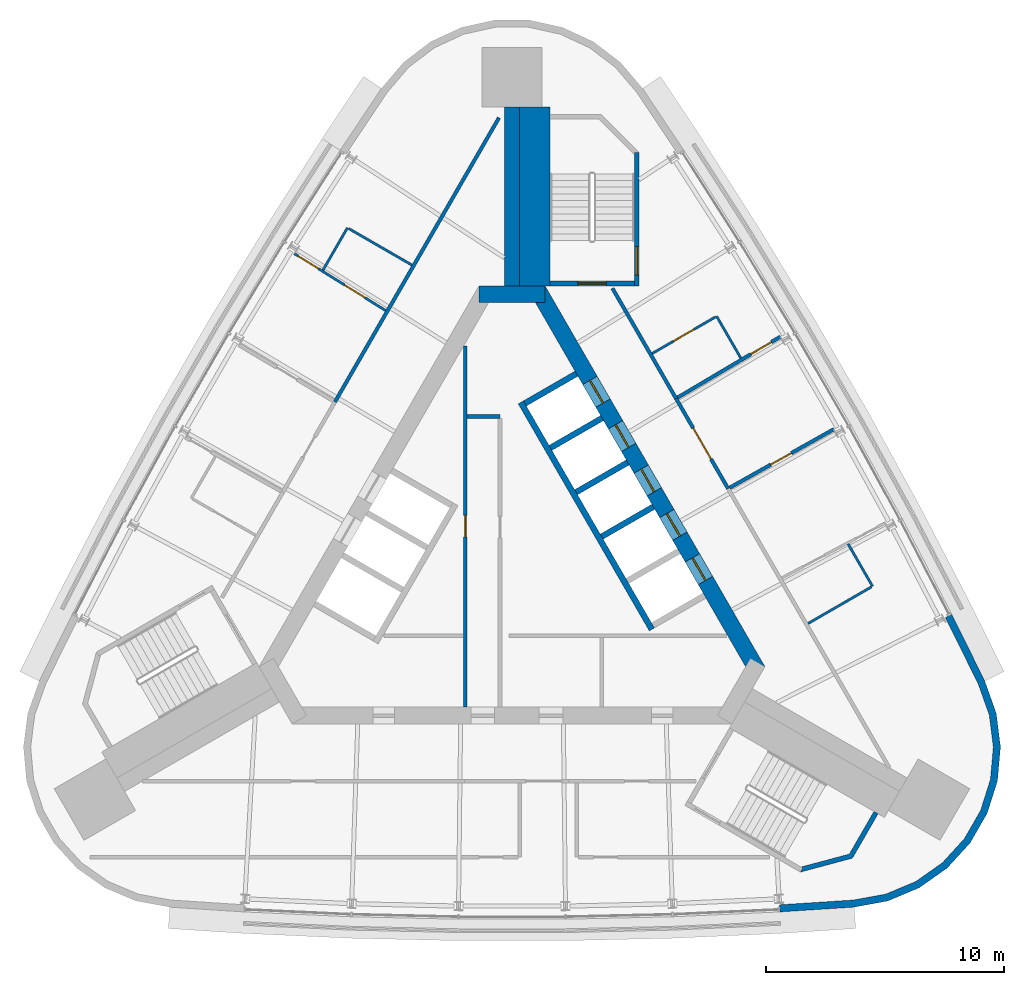
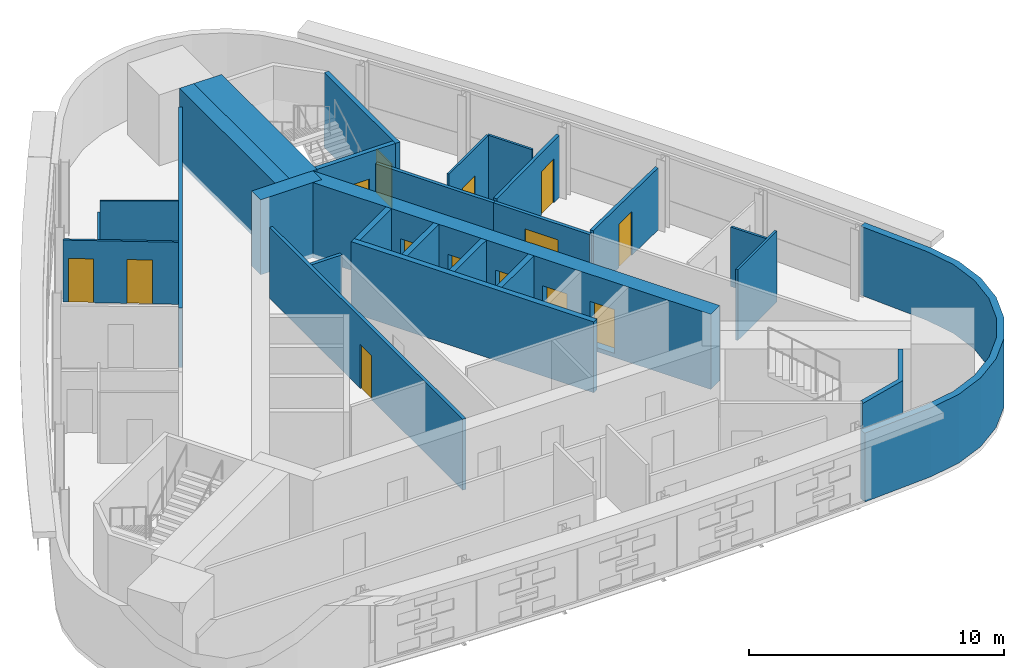
# One storey, part 7 of 9: 27 walls, 14 doors, 14 openings.
"""IFC4 building model written with IfcOpenShell, lengths in metres."""

from ifc_helpers import new_model, si_unit, direction, frame, frame_2d, origin, place, context, subcontext, project, spatial, polyline, rectangle, outline, extrude, material, layer, layer_set, type_object, element, fill, save


model = new_model("IFC4")

# Units and contexts
model_context = context("Model", 3, precision=1e-05, world=origin(), true_north=direction((0.0, 1.0)))
body_context = subcontext(model_context, "Body", "Model", "MODEL_VIEW")
ifc_project = project(units=[si_unit("LENGTHUNIT", "METRE"), si_unit("AREAUNIT", "SQUARE_METRE"), si_unit("VOLUMEUNIT", "CUBIC_METRE"), si_unit("PLANEANGLEUNIT", "RADIAN"), si_unit("MASSUNIT", "GRAM", prefix="KILO")], contexts=[model_context])

# Site, building, storey
site_placement = place(None, origin())
site = spatial("IfcSite", under=ifc_project, at=site_placement, CompositionType="ELEMENT")
building_placement = place(site_placement, origin())
building = spatial("IfcBuilding", under=site, at=building_placement, Name="Noor Cloister Tower", CompositionType="ELEMENT")
storey_placement = place(building_placement, frame((0.0, 0.0, 236.39990234375)))
storey = spatial("IfcBuildingStorey", under=building, at=storey_placement, Name="L61", CompositionType="ELEMENT", Elevation=236.39990234375)

# Wall
ifc_material_1 = material(Name="Concrete C60/75", Category="concrete")
ifc_layer_1 = layer(ifc_material_1, 0.64990234375)
ifc_layer_set_1 = layer_set([ifc_layer_1], Name="Buttress wall 650 C60/75")
wall_type_1 = type_object("IfcWallType", Name="Buttress wall 650 C60/75", PredefinedType="SHEAR", material=ifc_layer_set_1)
wall_1_placement = place(storey_placement, frame((0.0, 11.456298828125, -0.199951171875), z_axis=(0.0, 0.0, 1.0), x_axis=(0.0, 1.0, 0.0)))
element("IfcWall", 1, at=wall_1_placement, inside=storey, type_object=wall_type_1, Name="Buttress wall N L61", PredefinedType="SHEAR", context=body_context, shape_type="SweptSolid", body=[
    extrude(rectangle(XDim=7.506591796875, YDim=0.64990234375, at=frame_2d((3.75341796875, 0.0))), origin(), (0.0, 0.0, 1.0), 3.60009765625),
])

# Wall, opening, door
ifc_material_2 = material(Name="Concrete C30/37", Category="concrete")
ifc_layer_2 = layer(ifc_material_2, 0.14990234375)
ifc_layer_set_2 = layer_set([ifc_layer_2], Name="Core partition 150 C30/37")
wall_type_2 = type_object("IfcWallType", Name="Core partition 150 C30/37", PredefinedType="PARTITIONING", material=ifc_layer_set_2)
wall_2_placement = place(storey_placement, frame((-1.95361328125, 8.9423828125, 0.0), z_axis=(0.0, 0.0, 1.0), x_axis=(0.0, -1.0, 0.0)))
wall_2 = element("IfcWall", 2, at=wall_2_placement, inside=storey, type_object=wall_type_2, Name="Core room partition L61 2", PredefinedType="PARTITIONING", context=body_context, shape_type="SweptSolid", body=[
    extrude(rectangle(XDim=15.170654296875, YDim=0.14990234375, at=frame_2d((7.58544921875, 0.0))), origin(), (0.0, 0.0, 1.0), 3.400146484375),
])
opening_1_placement = place(wall_2_placement, frame((7.12060546875, 0.0, 0.0)))
opening_1 = element("IfcOpeningElement", 3, at=opening_1_placement, cuts=wall_2, Name="Opening L61-905", PredefinedType="OPENING", context=body_context, shape_type="SweptSolid", body=[
    extrude(rectangle(XDim=0.89990234375, YDim=2.10009765625, at=frame_2d((0.449951171875, 1.050048828125))), frame((0.0, 0.0849609375, 0.0), z_axis=(0.0, -1.0, 0.0), x_axis=(1.0, 0.0, 0.0)), (0.0, 0.0, 1.0), 0.169921875),
])
ifc_material_3 = material(Name="Steel", Category="steel")
door_type_1 = type_object("IfcDoorType", Name="Core door 900 x 2100 FD60", OperationType="SINGLE_SWING_LEFT", PredefinedType="DOOR", material=ifc_material_3)
door_1_placement = place(opening_1_placement, origin())
door_1 = element("IfcDoor", 4, at=door_1_placement, inside=storey, type_object=door_type_1, Name="Core door 5 L61", OperationType="SINGLE_SWING_LEFT", OverallHeight=2.10009765625, OverallWidth=0.89990234375, PredefinedType="DOOR", context=body_context, shape_type="SweptSolid", body=[
    extrude(rectangle(XDim=0.89990234375, YDim=2.10009765625, at=frame_2d((0.449951171875, 1.050048828125))), frame((0.0, 0.02490234375, 0.0), z_axis=(0.0, -1.0, 0.0), x_axis=(1.0, 0.0, 0.0)), (0.0, 0.0, 1.0), 0.050048828125),
])
fill(opening_1, door_1)

# Wall
wall_3_placement = place(storey_placement, frame((-1.878662109375, 5.9716796875, 0.0), z_axis=(0.0, 0.0, 1.0), x_axis=(1.0, 0.0, 0.0)))
element("IfcWall", 5, at=wall_3_placement, inside=storey, type_object=wall_type_2, Name="Core room partition L61 3", PredefinedType="PARTITIONING", context=body_context, shape_type="SweptSolid", body=[
    extrude(rectangle(XDim=1.375, YDim=0.14990234375, at=frame_2d((0.6875, 0.0))), origin(), (0.0, 0.0, 1.0), 3.400146484375),
])

# Wall, openings, doors
ifc_material_4 = material(Name="Concrete C60/75", Category="concrete")
ifc_layer_3 = layer(ifc_material_4, 0.699951171875)
ifc_layer_set_3 = layer_set([ifc_layer_3], Name="Core wall 700 C60/75")
wall_type_3 = type_object("IfcWallType", Name="Core wall 700 C60/75", PredefinedType="SHEAR", material=ifc_layer_set_3)
wall_4_placement = place(storey_placement, frame((10.311279296875, -4.703125, -0.199951171875), z_axis=(0.0, 0.0, 1.0), x_axis=(-0.500001446645, 0.866024568562, 0.0)))
wall_4 = element("IfcWall", 6, at=wall_4_placement, inside=storey, type_object=wall_type_3, Name="Core wall L61 3", PredefinedType="SHEAR", context=body_context, shape_type="SweptSolid", body=[
    extrude(rectangle(XDim=18.45751953125, YDim=0.699951171875, at=frame_2d((9.228759765625, 0.0))), origin(), (0.0, 0.0, 1.0), 3.60009765625),
])
opening_2_placement = place(wall_4_placement, frame((4.378662109375, 0.0, 0.199951171875)))
opening_2 = element("IfcOpeningElement", 7, at=opening_2_placement, cuts=wall_4, Name="Opening L61-HR1", PredefinedType="OPENING", context=body_context, shape_type="SweptSolid", body=[
    extrude(rectangle(XDim=1.10009765625, YDim=2.10009765625, at=frame_2d((0.550048828125, 1.050048828125))), frame((0.0, 0.35986328125, 0.0), z_axis=(0.0, -1.0, 0.0), x_axis=(1.0, 0.0, 0.0)), (0.0, 0.0, 1.0), 0.719970703125),
])
opening_3_placement = place(wall_4_placement, frame((6.52880859375, 0.0, 0.199951171875)))
opening_3 = element("IfcOpeningElement", 8, at=opening_3_placement, cuts=wall_4, Name="Opening L61-HR2", PredefinedType="OPENING", context=body_context, shape_type="SweptSolid", body=[
    extrude(rectangle(XDim=1.10009765625, YDim=2.10009765625, at=frame_2d((0.550048828125, 1.050048828125))), frame((0.0, 0.35986328125, 0.0), z_axis=(0.0, -1.0, 0.0), x_axis=(1.0, 0.0, 0.0)), (0.0, 0.0, 1.0), 0.719970703125),
])
opening_4_placement = place(wall_4_placement, frame((8.6787109375, 0.0, 0.199951171875)))
opening_4 = element("IfcOpeningElement", 9, at=opening_4_placement, cuts=wall_4, Name="Opening L61-HR3", PredefinedType="OPENING", context=body_context, shape_type="SweptSolid", body=[
    extrude(rectangle(XDim=1.10009765625, YDim=2.10009765625, at=frame_2d((0.550048828125, 1.050048828125))), frame((0.0, 0.35986328125, 0.0), z_axis=(0.0, -1.0, 0.0), x_axis=(1.0, 0.0, 0.0)), (0.0, 0.0, 1.0), 0.719970703125),
])
opening_5_placement = place(wall_4_placement, frame((10.82861328125, 0.0, 0.199951171875)))
opening_5 = element("IfcOpeningElement", 10, at=opening_5_placement, cuts=wall_4, Name="Opening L61-HR4", PredefinedType="OPENING", context=body_context, shape_type="SweptSolid", body=[
    extrude(rectangle(XDim=1.10009765625, YDim=2.10009765625, at=frame_2d((0.550048828125, 1.050048828125))), frame((0.0, 0.35986328125, 0.0), z_axis=(0.0, -1.0, 0.0), x_axis=(1.0, 0.0, 0.0)), (0.0, 0.0, 1.0), 0.719970703125),
])
opening_6_placement = place(wall_4_placement, frame((12.978759765625, 0.0, 0.199951171875)))
opening_6 = element("IfcOpeningElement", 11, at=opening_6_placement, cuts=wall_4, Name="Opening L61-HR5", PredefinedType="OPENING", context=body_context, shape_type="SweptSolid", body=[
    extrude(rectangle(XDim=1.10009765625, YDim=2.10009765625, at=frame_2d((0.550048828125, 1.050048828125))), frame((0.0, 0.35986328125, 0.0), z_axis=(0.0, -1.0, 0.0), x_axis=(1.0, 0.0, 0.0)), (0.0, 0.0, 1.0), 0.719970703125),
])
ifc_material_5 = material(Name="Stainless steel", Category="steel")
door_type_2 = type_object("IfcDoorType", Name="Lift landing door 1100 x 2100", OperationType="DOUBLE_DOOR_SLIDING", PredefinedType="DOOR", material=ifc_material_5)
door_2_placement = place(opening_2_placement, origin())
door_2 = element("IfcDoor", 12, at=door_2_placement, inside=storey, type_object=door_type_2, Name="Landing door HR1 L61", OperationType="DOUBLE_DOOR_SLIDING", OverallHeight=2.10009765625, OverallWidth=1.10009765625, PredefinedType="DOOR", context=body_context, shape_type="SweptSolid", body=[
    extrude(rectangle(XDim=1.10009765625, YDim=2.10009765625, at=frame_2d((0.550048828125, 1.050048828125))), frame((0.0, 0.02490234375, 0.0), z_axis=(0.0, -1.0, 0.0), x_axis=(1.0, 0.0, 0.0)), (0.0, 0.0, 1.0), 0.050048828125),
])
fill(opening_2, door_2)
door_3_placement = place(opening_3_placement, origin())
door_3 = element("IfcDoor", 13, at=door_3_placement, inside=storey, type_object=door_type_2, Name="Landing door HR2 L61", OperationType="DOUBLE_DOOR_SLIDING", OverallHeight=2.10009765625, OverallWidth=1.10009765625, PredefinedType="DOOR", context=body_context, shape_type="SweptSolid", body=[
    extrude(rectangle(XDim=1.10009765625, YDim=2.10009765625, at=frame_2d((0.550048828125, 1.050048828125))), frame((0.0, 0.02490234375, 0.0), z_axis=(0.0, -1.0, 0.0), x_axis=(1.0, 0.0, 0.0)), (0.0, 0.0, 1.0), 0.050048828125),
])
fill(opening_3, door_3)
door_4_placement = place(opening_4_placement, origin())
door_4 = element("IfcDoor", 14, at=door_4_placement, inside=storey, type_object=door_type_2, Name="Landing door HR3 L61", OperationType="DOUBLE_DOOR_SLIDING", OverallHeight=2.10009765625, OverallWidth=1.10009765625, PredefinedType="DOOR", context=body_context, shape_type="SweptSolid", body=[
    extrude(rectangle(XDim=1.10009765625, YDim=2.10009765625, at=frame_2d((0.550048828125, 1.050048828125))), frame((0.0, 0.02490234375, 0.0), z_axis=(0.0, -1.0, 0.0), x_axis=(1.0, 0.0, 0.0)), (0.0, 0.0, 1.0), 0.050048828125),
])
fill(opening_4, door_4)
door_5_placement = place(opening_5_placement, origin())
door_5 = element("IfcDoor", 15, at=door_5_placement, inside=storey, type_object=door_type_2, Name="Landing door HR4 L61", OperationType="DOUBLE_DOOR_SLIDING", OverallHeight=2.10009765625, OverallWidth=1.10009765625, PredefinedType="DOOR", context=body_context, shape_type="SweptSolid", body=[
    extrude(rectangle(XDim=1.10009765625, YDim=2.10009765625, at=frame_2d((0.550048828125, 1.050048828125))), frame((0.0, 0.02490234375, 0.0), z_axis=(0.0, -1.0, 0.0), x_axis=(1.0, 0.0, 0.0)), (0.0, 0.0, 1.0), 0.050048828125),
])
fill(opening_5, door_5)
door_6_placement = place(opening_6_placement, origin())
door_6 = element("IfcDoor", 16, at=door_6_placement, inside=storey, type_object=door_type_2, Name="Landing door HR5 L61", OperationType="DOUBLE_DOOR_SLIDING", OverallHeight=2.10009765625, OverallWidth=1.10009765625, PredefinedType="DOOR", context=body_context, shape_type="SweptSolid", body=[
    extrude(rectangle(XDim=1.10009765625, YDim=2.10009765625, at=frame_2d((0.550048828125, 1.050048828125))), frame((0.0, 0.02490234375, 0.0), z_axis=(0.0, -1.0, 0.0), x_axis=(1.0, 0.0, 0.0)), (0.0, 0.0, 1.0), 0.050048828125),
])
fill(opening_6, door_6)

# Walls
wall_5_placement = place(storey_placement, frame((1.3857421875, 11.1064453125, -0.199951171875), z_axis=(0.0, 0.0, 1.0), x_axis=(-1.0, 0.0, 0.0)))
element("IfcWall", 17, at=wall_5_placement, inside=storey, type_object=wall_type_3, Name="Core wall L61 4", PredefinedType="SHEAR", context=body_context, shape_type="SweptSolid", body=[
    extrude(rectangle(XDim=2.771484375, YDim=0.699951171875, at=frame_2d((1.3857421875, 0.0))), origin(), (0.0, 0.0, 1.0), 3.60009765625),
])
ifc_material_6 = material(Name="Fire-rated gypsum board partition on steel studs, 150 mm", Category="steel")
ifc_layer_4 = layer(ifc_material_6, 0.14990234375)
ifc_layer_set_4 = layer_set([ifc_layer_4], Name="Fire lobby wall 150")
wall_type_4 = type_object("IfcWallType", Name="Fire lobby wall 150", PredefinedType="PARTITIONING", material=ifc_layer_set_4)
wall_6_placement = place(storey_placement, frame((-0.544677734375, 18.512939453125, 0.0), z_axis=(0.0, 0.0, 1.0), x_axis=(-0.499998165157, -0.866026463129, 0.0)))
element("IfcWall", 18, at=wall_6_placement, inside=storey, type_object=wall_type_4, Name="Wall L61-W18", PredefinedType="PARTITIONING", context=body_context, shape_type="SweptSolid", body=[
    extrude(rectangle(XDim=13.771484375, YDim=0.14990234375, at=frame_2d((6.8857421875, 0.0))), origin(), (0.0, 0.0, 1.0), 2.85205078125),
])
ifc_material_7 = material(Name="Gypsum board partition on steel studs, 150 mm", Category="steel")
ifc_layer_5 = layer(ifc_material_7, 0.14990234375)
ifc_layer_set_5 = layer_set([ifc_layer_5], Name="Flat wall 150")
wall_type_5 = type_object("IfcWallType", Name="Flat wall 150", PredefinedType="PARTITIONING", material=ifc_layer_set_5)
wall_7_placement = place(storey_placement, frame((6.88623046875, 6.72900390625, 0.0), z_axis=(0.0, 0.0, 1.0), x_axis=(-0.4999966759, 0.866027322946, 0.0)))
element("IfcWall", 19, at=wall_7_placement, inside=storey, type_object=wall_type_5, Name="Wall L61-W02", PredefinedType="PARTITIONING", context=body_context, shape_type="SweptSolid", body=[
    extrude(rectangle(XDim=5.34326171875, YDim=0.14990234375, at=frame_2d((2.671630859375, 0.0))), origin(), (0.0, 0.0, 1.0), 2.85205078125),
])

# Wall, opening, door
wall_8_placement = place(storey_placement, frame((13.51416015625, 5.4443359375, 0.0), z_axis=(0.0, 0.0, 1.0), x_axis=(-0.871644326388, -0.490138927525, 0.0)))
wall_8 = element("IfcWall", 20, at=wall_8_placement, inside=storey, type_object=wall_type_5, Name="Wall L61-W03", PredefinedType="PARTITIONING", context=body_context, shape_type="SweptSolid", body=[
    extrude(rectangle(XDim=5.02294921875, YDim=0.14990234375, at=frame_2d((2.511474609375, 0.0))), origin(), (0.0, 0.0, 1.0), 2.97412109375),
])
opening_7_placement = place(wall_8_placement, frame((2.048828125, 0.0, 0.0)))
opening_7 = element("IfcOpeningElement", 21, at=opening_7_placement, cuts=wall_8, Name="Opening L61-004", PredefinedType="OPENING", context=body_context, shape_type="SweptSolid", body=[
    extrude(rectangle(XDim=1.0, YDim=2.10009765625, at=frame_2d((0.5, 1.050048828125))), frame((0.0, 0.0849609375, 0.0), z_axis=(0.0, -1.0, 0.0), x_axis=(1.0, 0.0, 0.0)), (0.0, 0.0, 1.0), 0.169921875),
])
ifc_material_8 = material(Name="Timber door leaf with steel frame", Category="steel")
door_type_3 = type_object("IfcDoorType", Name="Flat entrance door 1000", OperationType="NOTDEFINED", PredefinedType="DOOR", material=ifc_material_8)
door_7_placement = place(opening_7_placement, origin())
door_7 = element("IfcDoor", 22, at=door_7_placement, inside=storey, type_object=door_type_3, Name="Door L61-004", OperationType="SINGLE_SWING_RIGHT", OverallHeight=2.10009765625, OverallWidth=1.0, PredefinedType="DOOR", context=body_context, shape_type="SweptSolid", body=[
    extrude(rectangle(XDim=1.0, YDim=2.10009765625, at=frame_2d((0.5, 1.050048828125))), frame((0.0, 0.02490234375, 0.0), z_axis=(0.0, -1.0, 0.0), x_axis=(1.0, 0.0, 0.0)), (0.0, 0.0, 1.0), 0.050048828125),
])
fill(opening_7, door_7)

wall_9_placement = place(storey_placement, frame((11.26806640625, 9.325439453125, 0.0), z_axis=(0.0, 0.0, 1.0), x_axis=(-0.860287582295, -0.509809058128, 0.0)))
wall_9 = element("IfcWall", 23, at=wall_9_placement, inside=storey, type_object=wall_type_5, Name="Wall L61-W04", PredefinedType="PARTITIONING", context=body_context, shape_type="SweptSolid", body=[
    extrude(rectangle(XDim=5.018310546875, YDim=0.14990234375, at=frame_2d((2.50927734375, 0.0))), origin(), (0.0, 0.0, 1.0), 2.97412109375),
])
opening_8_placement = place(wall_9_placement, frame((0.446533203125, 0.0, 0.0)))
opening_8 = element("IfcOpeningElement", 24, at=opening_8_placement, cuts=wall_9, Name="Opening L61-006", PredefinedType="OPENING", context=body_context, shape_type="SweptSolid", body=[
    extrude(rectangle(XDim=1.0, YDim=2.10009765625, at=frame_2d((0.5, 1.050048828125))), frame((0.0, 0.0849609375, 0.0), z_axis=(0.0, -1.0, 0.0), x_axis=(1.0, 0.0, 0.0)), (0.0, 0.0, 1.0), 0.169921875),
])
door_8_placement = place(opening_8_placement, origin())
door_8 = element("IfcDoor", 25, at=door_8_placement, inside=storey, type_object=door_type_3, Name="Door L61-006", OperationType="SINGLE_SWING_RIGHT", OverallHeight=2.10009765625, OverallWidth=1.0, PredefinedType="DOOR", context=body_context, shape_type="SweptSolid", body=[
    extrude(rectangle(XDim=1.0, YDim=2.10009765625, at=frame_2d((0.5, 1.050048828125))), frame((0.0, 0.02490234375, 0.0), z_axis=(0.0, -1.0, 0.0), x_axis=(1.0, 0.0, 0.0)), (0.0, 0.0, 1.0), 0.050048828125),
])
fill(opening_8, door_8)

wall_10_placement = place(storey_placement, frame((9.070556640625, 2.945556640625, 0.0), z_axis=(0.0, 0.0, 1.0), x_axis=(-0.499991738058, 0.866030173766, 0.0)))
wall_10 = element("IfcWall", 26, at=wall_10_placement, inside=storey, type_object=wall_type_5, Name="Wall L61-W05", PredefinedType="PARTITIONING", context=body_context, shape_type="SweptSolid", body=[
    extrude(rectangle(XDim=4.36865234375, YDim=0.14990234375, at=frame_2d((2.184326171875, 0.0))), origin(), (0.0, 0.0, 1.0), 2.85205078125),
])
opening_9_placement = place(wall_10_placement, frame((1.434326171875, 0.0, 0.0)))
opening_9 = element("IfcOpeningElement", 27, at=opening_9_placement, cuts=wall_10, Name="Opening L61-001", PredefinedType="OPENING", context=body_context, shape_type="SweptSolid", body=[
    extrude(rectangle(XDim=1.5, YDim=2.10009765625, at=frame_2d((0.75, 1.050048828125))), frame((0.0, 0.0849609375, 0.0), z_axis=(0.0, -1.0, 0.0), x_axis=(1.0, 0.0, 0.0)), (0.0, 0.0, 1.0), 0.169921875),
])
ifc_material_9 = material(Name="Timber door leaf with steel frame", Category="steel")
door_type_4 = type_object("IfcDoorType", Name="Double door 1500 FD60", OperationType="NOTDEFINED", PredefinedType="DOOR", material=ifc_material_9)
door_9_placement = place(opening_9_placement, origin())
door_9 = element("IfcDoor", 28, at=door_9_placement, inside=storey, type_object=door_type_4, Name="Door L61-001", OperationType="DOUBLE_DOOR_SINGLE_SWING", OverallHeight=2.10009765625, OverallWidth=1.5, PredefinedType="DOOR", context=body_context, shape_type="SweptSolid", body=[
    extrude(rectangle(XDim=1.5, YDim=2.10009765625, at=frame_2d((0.75, 1.050048828125))), frame((0.0, 0.02490234375, 0.0), z_axis=(0.0, -1.0, 0.0), x_axis=(1.0, 0.0, 0.0)), (0.0, 0.0, 1.0), 0.050048828125),
])
fill(opening_9, door_9)

# Walls
ifc_material_10 = material(Name="Limestone", Category="masonry")
ifc_layer_6 = layer(ifc_material_10, 0.300048828125)
ifc_layer_set_6 = layer_set([ifc_layer_6], Name="Limestone cladding 300")
wall_type_6 = type_object("IfcWallType", Name="Limestone cladding 300", PredefinedType="NOTDEFINED", material=ifc_layer_set_6)
wall_11_placement = place(storey_placement, origin())
element("IfcWall", 29, at=wall_11_placement, inside=storey, type_object=wall_type_6, Name="Limestone pier cladding L61 2.1", PredefinedType="NOTDEFINED", context=body_context, shape_type="SweptSolid", body=[
    extrude(outline(polyline([(11.243896484375, -14.820068359375), (14.3642578125, -14.61865234375), (15.77197265625, -14.361328125), (17.091552734375, -13.8076171875), (18.26123046875, -12.983154296875), (19.2265625, -11.9267578125), (19.942138671875, -10.687255859375), (20.37451171875, -9.3232421875), (20.503662109375, -7.89794921875), (20.3232421875, -6.478271484375), (19.842041015625, -5.13037109375), (18.45654296875, -2.32763671875), (18.1875, -2.46044921875), (19.5654296875, -5.247802734375), (20.02978515625, -6.54833984375), (20.201904296875, -7.9033203125), (20.07861328125, -9.263671875), (19.666015625, -10.565673828125), (18.98291015625, -11.748291015625), (18.061767578125, -12.7568359375), (16.9453125, -13.543701171875), (15.68603515625, -14.072021484375), (14.327392578125, -14.3203125), (11.224609375, -14.520751953125), (11.243896484375, -14.820068359375)])), origin(), (0.0, 0.0, 1.0), 3.300048828125),
])
ifc_material_11 = material(Name="Gypsum board partition on steel studs, 100 mm", Category="steel")
ifc_layer_7 = layer(ifc_material_11, 0.10009765625)
ifc_layer_set_7 = layer_set([ifc_layer_7], Name="Partition 100")
wall_type_7 = type_object("IfcWallType", Name="Partition 100", PredefinedType="PARTITIONING", material=ifc_layer_set_7)
wall_12_placement = place(storey_placement, frame((14.106689453125, 0.623046875, 0.0), z_axis=(0.0, 0.0, 1.0), x_axis=(0.499956128963, -0.866050731258, 0.0)))
element("IfcWall", 30, at=wall_12_placement, inside=storey, type_object=wall_type_7, Name="Wall L61-W07", PredefinedType="PARTITIONING", context=body_context, shape_type="SweptSolid", body=[
    extrude(rectangle(XDim=2.050048828125, YDim=0.10009765625, at=frame_2d((1.02490234375, 0.0))), origin(), (0.0, 0.0, 1.0), 2.85205078125),
])
wall_13_placement = place(storey_placement, frame((15.08837890625, -1.17724609375, 0.0), z_axis=(0.0, 0.0, 1.0), x_axis=(-0.866016353143, -0.500015675843, 0.0)))
element("IfcWall", 31, at=wall_13_placement, inside=storey, type_object=wall_type_7, Name="Wall L61-W08", PredefinedType="PARTITIONING", context=body_context, shape_type="SweptSolid", body=[
    extrude(rectangle(XDim=3.0751953125, YDim=0.10009765625, at=frame_2d((1.53759765625, 0.0))), origin(), (0.0, 0.0, 1.0), 3.400146484375),
])
wall_14_placement = place(storey_placement, frame((9.60205078125, 8.42529296875, 0.0), z_axis=(0.0, 0.0, 1.0), x_axis=(-0.500080744026, 0.86597878118, 0.0)))
element("IfcWall", 32, at=wall_14_placement, inside=storey, type_object=wall_type_7, Name="Wall L61-W09", PredefinedType="PARTITIONING", context=body_context, shape_type="SweptSolid", body=[
    extrude(rectangle(XDim=2.025146484375, YDim=0.10009765625, at=frame_2d((1.0126953125, 0.0))), origin(), (0.0, 0.0, 1.0), 3.400146484375),
])

# Wall, opening, door
wall_15_placement = place(storey_placement, frame((8.546142578125, 10.154052734375, 0.0), z_axis=(0.0, 0.0, 1.0), x_axis=(-0.866016353143, -0.500015675843, 0.0)))
wall_15 = element("IfcWall", 33, at=wall_15_placement, inside=storey, type_object=wall_type_7, Name="Wall L61-W10", PredefinedType="PARTITIONING", context=body_context, shape_type="SweptSolid", body=[
    extrude(rectangle(XDim=3.0751953125, YDim=0.10009765625, at=frame_2d((1.53759765625, 0.0))), origin(), (0.0, 0.0, 1.0), 3.400146484375),
])
opening_10_placement = place(wall_15_placement, frame((1.050048828125, 0.0, 0.0)))
opening_10 = element("IfcOpeningElement", 34, at=opening_10_placement, cuts=wall_15, Name="Opening L61-005", PredefinedType="OPENING", context=body_context, shape_type="SweptSolid", body=[
    extrude(rectangle(XDim=1.0, YDim=2.10009765625, at=frame_2d((0.5, 1.050048828125))), frame((0.0, 0.06005859375, 0.0), z_axis=(0.0, -1.0, 0.0), x_axis=(1.0, 0.0, 0.0)), (0.0, 0.0, 1.0), 0.1201171875),
])
ifc_material_12 = material(Name="Timber door leaf with steel frame", Category="steel")
door_type_5 = type_object("IfcDoorType", Name="Interior door 1000", OperationType="NOTDEFINED", PredefinedType="DOOR", material=ifc_material_12)
door_10_placement = place(opening_10_placement, origin())
door_10 = element("IfcDoor", 35, at=door_10_placement, inside=storey, type_object=door_type_5, Name="Door L61-005", OperationType="SINGLE_SWING_LEFT", OverallHeight=2.10009765625, OverallWidth=1.0, PredefinedType="DOOR", context=body_context, shape_type="SweptSolid", body=[
    extrude(rectangle(XDim=1.0, YDim=2.10009765625, at=frame_2d((0.5, 1.050048828125))), frame((0.0, 0.02490234375, 0.0), z_axis=(0.0, -1.0, 0.0), x_axis=(1.0, 0.0, 0.0)), (0.0, 0.0, 1.0), 0.050048828125),
])
fill(opening_10, door_10)

# Wall, openings, doors
wall_16_placement = place(storey_placement, frame((-9.146484375, 12.815185546875, 0.0), z_axis=(0.0, 0.0, 1.0), x_axis=(0.848537029676, -0.52913600262, 0.0)))
wall_16 = element("IfcWall", 36, at=wall_16_placement, inside=storey, type_object=wall_type_7, Name="Wall L61-W23", PredefinedType="PARTITIONING", context=body_context, shape_type="SweptSolid", body=[
    extrude(rectangle(XDim=4.528076171875, YDim=0.10009765625, at=frame_2d((2.26416015625, 0.0))), origin(), (0.0, 0.0, 1.0), 2.97412109375),
])
opening_11_placement = place(wall_16_placement, frame((0.20068359375, 0.0, 0.0)))
opening_11 = element("IfcOpeningElement", 37, at=opening_11_placement, cuts=wall_16, Name="Opening L61-013", PredefinedType="OPENING", context=body_context, shape_type="SweptSolid", body=[
    extrude(rectangle(XDim=1.0, YDim=2.10009765625, at=frame_2d((0.5, 1.050048828125))), frame((0.0, 0.06005859375, 0.0), z_axis=(0.0, -1.0, 0.0), x_axis=(1.0, 0.0, 0.0)), (0.0, 0.0, 1.0), 0.1201171875),
])
opening_12_placement = place(wall_16_placement, frame((2.502197265625, 0.0, 0.0)))
opening_12 = element("IfcOpeningElement", 38, at=opening_12_placement, cuts=wall_16, Name="Opening L61-014", PredefinedType="OPENING", context=body_context, shape_type="SweptSolid", body=[
    extrude(rectangle(XDim=1.0, YDim=2.10009765625, at=frame_2d((0.5, 1.050048828125))), frame((0.0, 0.06005859375, 0.0), z_axis=(0.0, -1.0, 0.0), x_axis=(1.0, 0.0, 0.0)), (0.0, 0.0, 1.0), 0.1201171875),
])
door_11_placement = place(opening_11_placement, origin())
door_11 = element("IfcDoor", 39, at=door_11_placement, inside=storey, type_object=door_type_5, Name="Door L61-013", OperationType="SINGLE_SWING_LEFT", OverallHeight=2.10009765625, OverallWidth=1.0, PredefinedType="DOOR", context=body_context, shape_type="SweptSolid", body=[
    extrude(rectangle(XDim=1.0, YDim=2.10009765625, at=frame_2d((0.5, 1.050048828125))), frame((0.0, 0.02490234375, 0.0), z_axis=(0.0, -1.0, 0.0), x_axis=(1.0, 0.0, 0.0)), (0.0, 0.0, 1.0), 0.050048828125),
])
fill(opening_11, door_11)
door_12_placement = place(opening_12_placement, origin())
door_12 = element("IfcDoor", 40, at=door_12_placement, inside=storey, type_object=door_type_5, Name="Door L61-014", OperationType="SINGLE_SWING_RIGHT", OverallHeight=2.10009765625, OverallWidth=1.0, PredefinedType="DOOR", context=body_context, shape_type="SweptSolid", body=[
    extrude(rectangle(XDim=1.0, YDim=2.10009765625, at=frame_2d((0.5, 1.050048828125))), frame((0.0, 0.02490234375, 0.0), z_axis=(0.0, -1.0, 0.0), x_axis=(1.0, 0.0, 0.0)), (0.0, 0.0, 1.0), 0.050048828125),
])
fill(opening_12, door_12)

# Walls
wall_17_placement = place(storey_placement, frame((-7.932373046875, 12.116943359375, 0.0), z_axis=(0.0, 0.0, 1.0), x_axis=(0.499956128963, 0.866050731258, 0.0)))
element("IfcWall", 41, at=wall_17_placement, inside=storey, type_object=wall_type_7, Name="Wall L61-W24", PredefinedType="PARTITIONING", context=body_context, shape_type="SweptSolid", body=[
    extrude(rectangle(XDim=2.050048828125, YDim=0.10009765625, at=frame_2d((1.02490234375, 0.0))), origin(), (0.0, 0.0, 1.0), 2.85205078125),
])
wall_18_placement = place(storey_placement, frame((-6.8642578125, 13.867431640625, 0.0), z_axis=(0.0, 0.0, 1.0), x_axis=(0.866016353143, -0.500015675843, 0.0)))
element("IfcWall", 42, at=wall_18_placement, inside=storey, type_object=wall_type_7, Name="Wall L61-W25", PredefinedType="PARTITIONING", context=body_context, shape_type="SweptSolid", body=[
    extrude(rectangle(XDim=3.0751953125, YDim=0.10009765625, at=frame_2d((1.53759765625, 0.0))), origin(), (0.0, 0.0, 1.0), 3.400146484375),
])
ifc_material_13 = material(Name="Concrete C60/75", Category="concrete")
ifc_layer_8 = layer(ifc_material_13, 0.25)
ifc_layer_set_8 = layer_set([ifc_layer_8], Name="Shaft wall 250 C60/75")
wall_type_8 = type_object("IfcWallType", Name="Shaft wall 250 C60/75", PredefinedType="PARTITIONING", material=ifc_layer_set_8)
wall_19_placement = place(storey_placement, frame((5.931396484375, 2.18310546875, -0.199951171875), z_axis=(0.0, 0.0, 1.0), x_axis=(-0.866047370643, -0.499961950354, 0.0)))
element("IfcWall", 43, at=wall_19_placement, inside=storey, type_object=wall_type_8, Name="Lift shaft wall L61 NE 3", PredefinedType="PARTITIONING", context=body_context, shape_type="SweptSolid", body=[
    extrude(rectangle(XDim=2.500244140625, YDim=0.25, at=frame_2d((1.25, 0.0))), origin(), (0.0, 0.0, 1.0), 3.60009765625),
])
for number, where, z_axis, x_axis, name in (
    (44, (4.856201171875, 4.045166015625, -0.199951171875), (0.0, 0.0, 1.0), (-0.866022959057, -0.500004234368, 0.0), "Lift shaft wall L61 NE 4"),
    (45, (3.78125, 5.906982421875, -0.199951171875), (0.0, 0.0, 1.0), (-0.866022959057, -0.500004234368, 0.0), "Lift shaft wall L61 NE 5"),
    (46, (2.706298828125, 7.76904296875, -0.199951171875), (0.0, 0.0, 1.0), (-0.866022959057, -0.500004234368, 0.0), "Lift shaft wall L61 NE 6"),
):
    element("IfcWall", number, at=place(storey_placement, frame(where, z_axis=z_axis, x_axis=x_axis)), inside=storey, type_object=wall_type_8, Name=name, PredefinedType="PARTITIONING", context=body_context, shape_type="SweptSolid", body=[
        extrude(rectangle(XDim=2.5, YDim=0.25, at=frame_2d((1.25, 0.0))), origin(), (0.0, 0.0, 1.0), 3.60009765625),
    ])
wall_20_placement = place(storey_placement, frame((5.870361328125, -2.96142578125, 0.0), z_axis=(0.0, 0.0, 1.0), x_axis=(-0.50000615651, 0.866021849293, 0.0)))
element("IfcWall", 47, at=wall_20_placement, inside=storey, type_object=wall_type_8, Name="Lift shaft back wall L61 NE", PredefinedType="PARTITIONING", context=body_context, shape_type="SweptSolid", body=[
    extrude(rectangle(XDim=10.999755859375, YDim=0.25, at=frame_2d((5.5, 0.0))), origin(), (0.0, 0.0, 1.0), 3.400146484375),
])
ifc_material_14 = material(Name="Concrete C60/75", Category="concrete")
ifc_layer_9 = layer(ifc_material_14, 1.260986328125)
ifc_layer_set_9 = layer_set([ifc_layer_9], Name="Stair enclosure wall 1261 C60/75")
wall_type_9 = type_object("IfcWallType", Name="Stair enclosure wall 1261 C60/75", PredefinedType="SHEAR", material=ifc_layer_set_9)
wall_21_placement = place(storey_placement, frame((0.955322265625, 11.456298828125, -0.199951171875), z_axis=(0.0, 0.0, 1.0), x_axis=(0.0, 1.0, 0.0)))
element("IfcWall", 48, at=wall_21_placement, inside=storey, type_object=wall_type_9, Name="Stair enclosure wall ST1 L61 riser side", PredefinedType="SHEAR", context=body_context, shape_type="SweptSolid", body=[
    extrude(rectangle(XDim=7.506591796875, YDim=1.2607421875, at=frame_2d((3.75341796875, 0.0))), origin(), (0.0, 0.0, 1.0), 3.60009765625),
])

# Wall, opening, door
ifc_material_15 = material(Name="Concrete C60/75", Category="concrete")
ifc_layer_10 = layer(ifc_material_15, 0.199951171875)
ifc_layer_set_10 = layer_set([ifc_layer_10], Name="Stair enclosure wall 200 C60/75")
wall_type_10 = type_object("IfcWallType", Name="Stair enclosure wall 200 C60/75", PredefinedType="SHEAR", material=ifc_layer_set_10)
wall_22_placement = place(storey_placement, frame((5.135498046875, 11.556396484375, -0.199951171875), z_axis=(0.0, 0.0, 1.0), x_axis=(-1.0, 0.0, 0.0)))
wall_22 = element("IfcWall", 49, at=wall_22_placement, inside=storey, type_object=wall_type_10, Name="Stair enclosure wall ST1 L61 near end", PredefinedType="SHEAR", context=body_context, shape_type="SweptSolid", body=[
    extrude(rectangle(XDim=3.5498046875, YDim=0.199951171875, at=frame_2d((1.77490234375, 0.0))), origin(), (0.0, 0.0, 1.0), 3.60009765625),
])
opening_13_placement = place(wall_22_placement, frame((1.175048828125, 0.0, 0.199951171875)))
opening_13 = element("IfcOpeningElement", 50, at=opening_13_placement, cuts=wall_22, Name="Opening L61-ST1L", PredefinedType="OPENING", context=body_context, shape_type="SweptSolid", body=[
    extrude(rectangle(XDim=1.199951171875, YDim=2.10009765625, at=frame_2d((0.60009765625, 1.050048828125))), frame((0.0, 0.10986328125, 0.0), z_axis=(0.0, -1.0, 0.0), x_axis=(1.0, 0.0, 0.0)), (0.0, 0.0, 1.0), 0.219970703125),
])
ifc_material_16 = material(Name="Steel", Category="steel")
door_type_6 = type_object("IfcDoorType", Name="Stair door 1200 x 2100 FD120", OperationType="SINGLE_SWING_LEFT", PredefinedType="DOOR", material=ifc_material_16)
door_13_placement = place(opening_13_placement, origin())
door_13 = element("IfcDoor", 51, at=door_13_placement, inside=storey, type_object=door_type_6, Name="Stair door ST1 L61", OperationType="SINGLE_SWING_RIGHT", OverallHeight=2.10009765625, OverallWidth=1.199951171875, PredefinedType="DOOR", context=body_context, shape_type="SweptSolid", body=[
    extrude(rectangle(XDim=1.199951171875, YDim=2.10009765625, at=frame_2d((0.60009765625, 1.050048828125))), frame((0.0, 0.02490234375, 0.0), z_axis=(0.0, -1.0, 0.0), x_axis=(1.0, 0.0, 0.0)), (0.0, 0.0, 1.0), 0.050048828125),
])
fill(opening_13, door_13)

wall_23_placement = place(storey_placement, frame((5.235595703125, 11.456298828125, -0.199951171875), z_axis=(0.0, 0.0, 1.0), x_axis=(0.0, 1.0, 0.0)))
wall_23 = element("IfcWall", 52, at=wall_23_placement, inside=storey, type_object=wall_type_10, Name="Stair enclosure wall ST1 L61 outer side", PredefinedType="SHEAR", context=body_context, shape_type="SweptSolid", body=[
    extrude(rectangle(XDim=5.60009765625, YDim=0.199951171875, at=frame_2d((2.800048828125, 0.0))), origin(), (0.0, 0.0, 1.0), 3.60009765625),
])
opening_14_placement = place(wall_23_placement, frame((0.449951171875, 0.0, 0.199951171875)))
opening_14 = element("IfcOpeningElement", 53, at=opening_14_placement, cuts=wall_23, Name="Opening L61-ST1C", PredefinedType="OPENING", context=body_context, shape_type="SweptSolid", body=[
    extrude(rectangle(XDim=1.199951171875, YDim=2.10009765625, at=frame_2d((0.60009765625, 1.050048828125))), frame((0.0, 0.10986328125, 0.0), z_axis=(0.0, -1.0, 0.0), x_axis=(1.0, 0.0, 0.0)), (0.0, 0.0, 1.0), 0.219970703125),
])
door_14_placement = place(opening_14_placement, origin())
door_14 = element("IfcDoor", 54, at=door_14_placement, inside=storey, type_object=door_type_6, Name="Stair door ST1 L61", OperationType="SINGLE_SWING_LEFT", OverallHeight=2.10009765625, OverallWidth=1.199951171875, PredefinedType="DOOR", context=body_context, shape_type="SweptSolid", body=[
    extrude(rectangle(XDim=1.199951171875, YDim=2.10009765625, at=frame_2d((0.60009765625, 1.050048828125))), frame((0.0, 0.02490234375, 0.0), z_axis=(0.0, -1.0, 0.0), x_axis=(1.0, 0.0, 0.0)), (0.0, 0.0, 1.0), 0.050048828125),
])
fill(opening_14, door_14)

# Wall
ifc_material_17 = material(Name="Concrete C60/75", Category="concrete")
wall_type_11 = type_object("IfcWallType", Name="Stair far end wall C60/75", PredefinedType="SHEAR", material=ifc_material_17)
wall_24_placement = place(storey_placement, frame((0.0, 0.0, -0.199951171875)))
element("IfcWall", 55, at=wall_24_placement, inside=storey, type_object=wall_type_11, Name="Stair enclosure wall ST3 L61 far end", PredefinedType="SHEAR", context=body_context, shape_type="SweptSolid", body=[
    extrude(outline(polyline([(12.103515625, -13.14892578125), (14.2890625, -12.5634765625), (15.364013671875, -10.701416015625), (15.19091796875, -10.601318359375), (14.1572265625, -12.3916015625), (12.131591796875, -12.934326171875), (12.20361328125, -12.975830078125), (12.20361328125, -12.975830078125), (12.20361328125, -12.975830078125), (12.20361328125, -12.975830078125), (12.20361328125, -12.975830078125), (12.20361328125, -12.975830078125), (12.20361328125, -12.975830078125), (12.20361328125, -12.975830078125), (12.20361328125, -12.975830078125), (12.20361328125, -12.975830078125), (12.20361328125, -12.975830078125), (12.20361328125, -12.975830078125), (12.20361328125, -12.975830078125), (12.20361328125, -12.975830078125), (12.20361328125, -12.975830078125), (12.20361328125, -12.975830078125), (12.20361328125, -12.975830078125), (12.103515625, -13.14892578125)])), origin(), (0.0, 0.0, 1.0), 3.60009765625),
])

save(model, "model.ifc")
